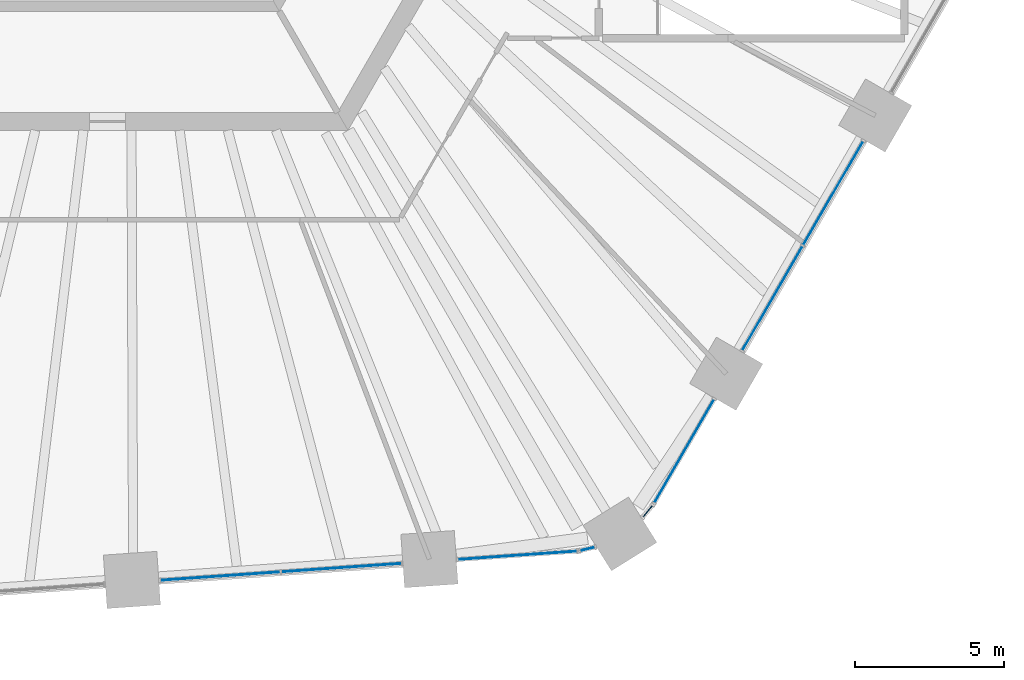
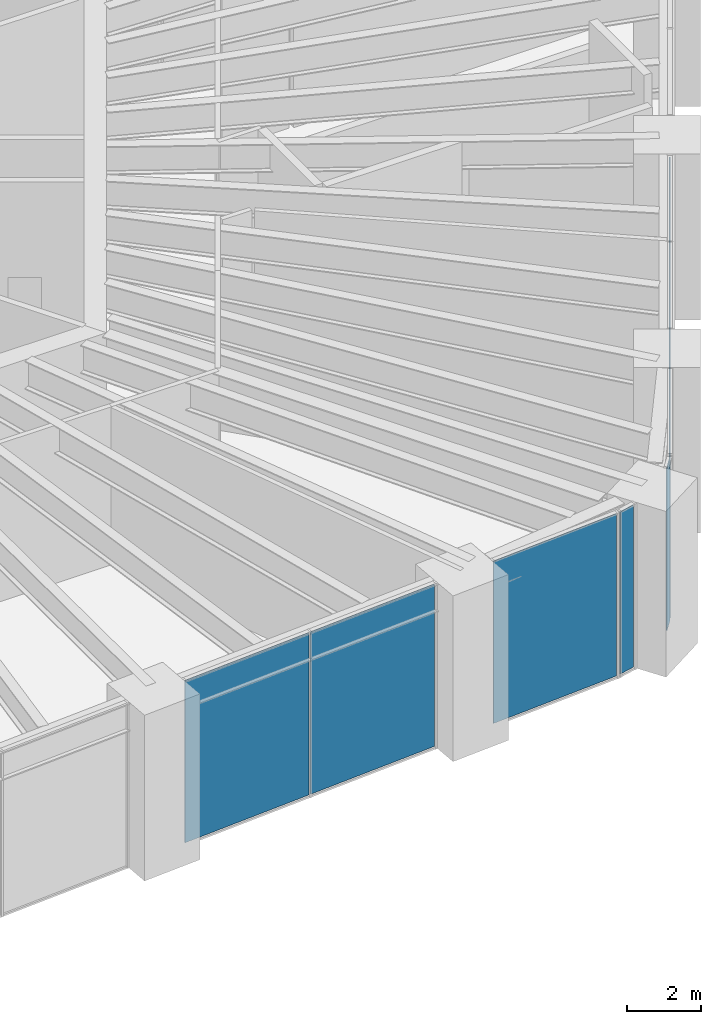
# One storey, part 15 of 25: 8 plates, 6 elements without a shape of their own.
"""IFC4 building model written with IfcOpenShell, lengths in metres."""

from ifc_helpers import new_model, si_unit, direction, frame, origin, origin_2d, place, context, subcontext, project, spatial, rectangle, extrude, material, layer, layer_set, type_object, element, aggregate, save


model = new_model("IFC4")

# Units and contexts
model_context = context("Model", 3, precision=1e-05, world=origin(), true_north=direction((0.0, 1.0)))
body_context = subcontext(model_context, "Body", "Model", "MODEL_VIEW")
ifc_project = project(units=[si_unit("LENGTHUNIT", "METRE"), si_unit("AREAUNIT", "SQUARE_METRE"), si_unit("VOLUMEUNIT", "CUBIC_METRE"), si_unit("PLANEANGLEUNIT", "RADIAN"), si_unit("MASSUNIT", "GRAM", prefix="KILO")], contexts=[model_context])

# Site, building, storey
site_placement = place(None, origin())
site = spatial("IfcSite", under=ifc_project, at=site_placement, CompositionType="ELEMENT")
building_placement = place(site_placement, origin())
building = spatial("IfcBuilding", under=site, at=building_placement, Name="Tarnside Tower", CompositionType="ELEMENT")
storey_placement = place(building_placement, frame((0.0, 0.0, 26.0)))
storey = spatial("IfcBuildingStorey", under=building, at=storey_placement, Name="L04", CompositionType="ELEMENT", Elevation=26.0)

# Curtain wall, plates
ifc_material_1 = material(Name="Retail shopfront glazing wall", Category="glass")
curtain_wall_type = type_object("IfcCurtainWallType", Name="Retail shopfront glazing wall", PredefinedType="NOTDEFINED", material=ifc_material_1)
curtain_wall_1_placement = place(storey_placement, origin())
curtain_wall_1 = element("IfcCurtainWall", 1, at=curtain_wall_1_placement, inside=storey, type_object=curtain_wall_type, Name="Retail shopfront glazing L04 13.0", PredefinedType="NOTDEFINED")
ifc_material_2 = material(Name="Low-iron safety glass", Category="glass")
ifc_layer = layer(ifc_material_2, 0.028076171875)
ifc_layer_set = layer_set([ifc_layer], Name="Retail shopfront glazing panel 28")
plate_type = type_object("IfcPlateType", Name="Retail shopfront glazing panel 28", PredefinedType="CURTAIN_PANEL", material=ifc_layer_set)
plate_1_placement = place(storey_placement, frame((3.791015625, -28.986083984375, -0.18994140625), z_axis=(0.0, 0.0, 1.0), x_axis=(0.997564050257, 0.069756473779, 0.0)))
plate_1 = element("IfcPlate", 2, at=plate_1_placement, type_object=plate_type, Name="CW2 panel 1.1", PredefinedType="CURTAIN_PANEL", context=body_context, shape_type="SweptSolid", body=[
    extrude(rectangle(XDim=4.021728515625, YDim=0.028076171875, at=origin_2d()), origin(), (0.0, 0.0, 1.0), 5.330078125),
])
plate_2_placement = place(storey_placement, frame((7.863037109375, -28.701416015625, -0.18994140625), z_axis=(0.0, 0.0, 1.0), x_axis=(0.997564050257, 0.069756473779, 0.0)))
plate_2 = element("IfcPlate", 3, at=plate_2_placement, type_object=plate_type, Name="CW2 panel 2.1", PredefinedType="CURTAIN_PANEL", context=body_context, shape_type="SweptSolid", body=[
    extrude(rectangle(XDim=4.021728515625, YDim=0.028076171875, at=origin_2d()), origin(), (0.0, 0.0, 1.0), 5.330078125),
])
aggregate(curtain_wall_1, [plate_1, plate_2])

# Curtain wall, plate
curtain_wall_2_placement = place(storey_placement, origin())
curtain_wall_2 = element("IfcCurtainWall", 4, at=curtain_wall_2_placement, inside=storey, type_object=curtain_wall_type, Name="Retail shopfront glazing L04 14.0", PredefinedType="NOTDEFINED")
plate_3_placement = place(storey_placement, frame((13.775390625, -28.2880859375, -0.18994140625), z_axis=(0.0, 0.0, 1.0), x_axis=(0.997564050248, 0.069756473918, 0.0)))
plate_3 = element("IfcPlate", 5, at=plate_3_placement, type_object=plate_type, Name="CW2 panel 1.1", PredefinedType="CURTAIN_PANEL", context=body_context, shape_type="SweptSolid", body=[
    extrude(rectangle(XDim=3.991943359375, YDim=0.028076171875, at=origin_2d()), origin(), (0.0, 0.0, 1.0), 5.330078125),
])
aggregate(curtain_wall_2, [plate_3])

curtain_wall_3_placement = place(storey_placement, origin())
curtain_wall_3 = element("IfcCurtainWall", 6, at=curtain_wall_3_placement, inside=storey, type_object=curtain_wall_type, Name="Retail shopfront glazing L04 14.1", PredefinedType="NOTDEFINED")
plate_4_placement = place(storey_placement, frame((16.135009765625, -28.072509765625, -0.18994140625), z_axis=(0.0, 0.0, 1.0), x_axis=(0.973044870489, 0.230615871127, 0.0)))
plate_4 = element("IfcPlate", 7, at=plate_4_placement, type_object=plate_type, Name="CW2 panel 1.1", PredefinedType="CURTAIN_PANEL", context=body_context, shape_type="SweptSolid", body=[
    extrude(rectangle(XDim=0.48828125, YDim=0.028076171875, at=origin_2d()), origin(), (0.0, 0.0, 1.0), 5.330078125),
])
aggregate(curtain_wall_3, [plate_4])

curtain_wall_4_placement = place(storey_placement, origin())
curtain_wall_4 = element("IfcCurtainWall", 8, at=curtain_wall_4_placement, inside=storey, type_object=curtain_wall_type, Name="Retail shopfront glazing L04 15.0", PredefinedType="NOTDEFINED")
plate_5_placement = place(storey_placement, frame((18.158203125, -26.808349609375, -0.18994140625), z_axis=(0.0, 0.0, 1.0), x_axis=(0.633830966989, 0.77347159307, 0.0)))
plate_5 = element("IfcPlate", 9, at=plate_5_placement, type_object=plate_type, Name="CW2 panel 1.1", PredefinedType="CURTAIN_PANEL", context=body_context, shape_type="SweptSolid", body=[
    extrude(rectangle(XDim=0.48828125, YDim=0.028076171875, at=origin_2d()), origin(), (0.0, 0.0, 1.0), 5.330078125),
])
aggregate(curtain_wall_4, [plate_5])

curtain_wall_5_placement = place(storey_placement, origin())
curtain_wall_5 = element("IfcCurtainWall", 10, at=curtain_wall_5_placement, inside=storey, type_object=curtain_wall_type, Name="Retail shopfront glazing L04 15.1", PredefinedType="NOTDEFINED")
plate_6_placement = place(storey_placement, frame((19.386474609375, -24.78173828125, -0.18994140625), z_axis=(0.0, 0.0, 1.0), x_axis=(0.50000000003, 0.866025403767, 0.0)))
plate_6 = element("IfcPlate", 11, at=plate_6_placement, type_object=plate_type, Name="CW2 panel 1.1", PredefinedType="CURTAIN_PANEL", context=body_context, shape_type="SweptSolid", body=[
    extrude(rectangle(XDim=3.991943359375, YDim=0.028076171875, at=origin_2d()), origin(), (0.0, 0.0, 1.0), 5.330078125),
])
aggregate(curtain_wall_5, [plate_6])

# Curtain wall, plates
curtain_wall_6_placement = place(storey_placement, origin())
curtain_wall_6 = element("IfcCurtainWall", 12, at=curtain_wall_6_placement, inside=storey, type_object=curtain_wall_type, Name="Retail shopfront glazing L04 16.0", PredefinedType="NOTDEFINED")
plate_7_placement = place(storey_placement, frame((22.349853515625, -19.64892578125, -0.18994140625), z_axis=(0.0, 0.0, 1.0), x_axis=(0.49999999994, 0.866025403819, 0.0)))
plate_7 = element("IfcPlate", 13, at=plate_7_placement, type_object=plate_type, Name="CW2 panel 1.1", PredefinedType="CURTAIN_PANEL", context=body_context, shape_type="SweptSolid", body=[
    extrude(rectangle(XDim=4.021728515625, YDim=0.028076171875, at=origin_2d()), origin(), (0.0, 0.0, 1.0), 5.330078125),
])
plate_8_placement = place(storey_placement, frame((24.390625, -16.114013671875, -0.18994140625), z_axis=(0.0, 0.0, 1.0), x_axis=(0.49999999994, 0.866025403819, 0.0)))
plate_8 = element("IfcPlate", 14, at=plate_8_placement, type_object=plate_type, Name="CW2 panel 2.1", PredefinedType="CURTAIN_PANEL", context=body_context, shape_type="SweptSolid", body=[
    extrude(rectangle(XDim=4.021728515625, YDim=0.028076171875, at=origin_2d()), origin(), (0.0, 0.0, 1.0), 5.330078125),
])
aggregate(curtain_wall_6, [plate_7, plate_8])

save(model, "model.ifc")
